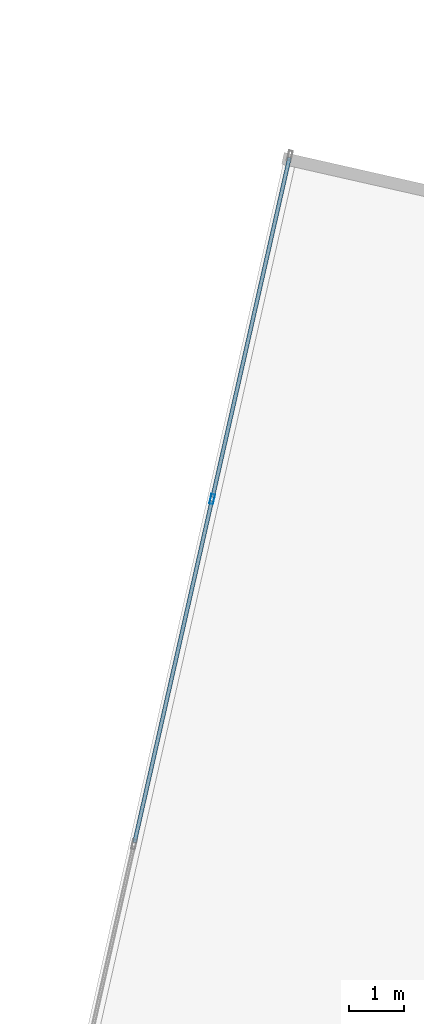
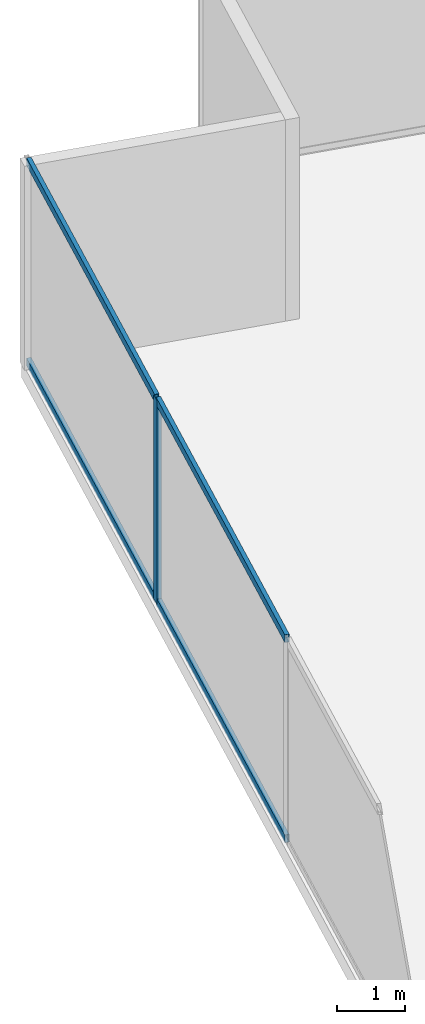
# One storey, part 15 of 27: 5 members, 1 element without a shape of its own.
"""IFC4 building model written with IfcOpenShell, lengths in metres."""

from ifc_helpers import new_model, si_unit, direction, frame, origin, origin_2d, place, context, subcontext, project, spatial, hollow_rectangle, extrude, source, transform, mapped, material, material_profile, profile_set, type_object, type_shapes, element, aggregate, save


model = new_model("IFC4")

# Units and contexts
model_context = context("Model", 3, precision=1e-05, world=origin(), true_north=direction((0.0, 1.0)))
body_context = subcontext(model_context, "Body", "Model", "MODEL_VIEW")
ifc_project = project(units=[si_unit("LENGTHUNIT", "METRE"), si_unit("AREAUNIT", "SQUARE_METRE"), si_unit("VOLUMEUNIT", "CUBIC_METRE"), si_unit("PLANEANGLEUNIT", "RADIAN"), si_unit("MASSUNIT", "GRAM", prefix="KILO")], contexts=[model_context])

# Site, building, storey
site_placement = place(None, origin())
site = spatial("IfcSite", under=ifc_project, at=site_placement, CompositionType="ELEMENT")
building_placement = place(site_placement, origin())
building = spatial("IfcBuilding", under=site, at=building_placement, Name="Krantzveldt Concourse Tower", CompositionType="ELEMENT")
storey_placement = place(building_placement, frame((0.0, 0.0, 86.10009765625)))
storey = spatial("IfcBuildingStorey", under=building, at=storey_placement, Name="L20", CompositionType="ELEMENT", Elevation=86.10009765625)

# Curtain wall, members
ifc_material = material(Name="Anodised aluminium 6063-T6", Category="aluminium")
curtain_wall_type = type_object("IfcCurtainWallType", Name="CW2", PredefinedType="USERDEFINED", material=ifc_material)
curtain_wall_placement = place(storey_placement, origin())
curtain_wall = element("IfcCurtainWall", 1, at=curtain_wall_placement, inside=storey, type_object=curtain_wall_type, Name="CW-L20-F01", ObjectType="UNITISED CURTAIN WALL", PredefinedType="USERDEFINED")
ifc_material_profile_1 = material_profile(ifc_material, hollow_rectangle(XDim=0.070068359375, YDim=0.179931640625, WallThickness=0.0048828125, at=origin_2d()), Name="Anodised aluminium 6063-T6", Category="aluminium")
ifc_profile_set_1 = profile_set([ifc_material_profile_1], Name="Anodised aluminium 6063-T6 - ALU-MULL 180x70x5")
member_type_1 = type_object("IfcMemberType", Name="CW-MUL-180", PredefinedType="MULLION", material=ifc_profile_set_1)
shared_shape_1 = source(origin(), body_context, "Body", "SweptSolid", [
    extrude(hollow_rectangle(XDim=0.070068359375, YDim=0.179931640625, WallThickness=0.0048828125, at=origin_2d()), origin(), (0.0, 0.0, 1.0), 3.669921875),
])
type_shapes(member_type_1, [shared_shape_1])
member_1_placement = place(storey_placement, frame((16.119140625, 44.458984375, 0.0), z_axis=(0.0, 0.0, 1.0), x_axis=(0.975342320609, -0.220697434579, 0.0)))
member_1 = element("IfcMember", 2, at=member_1_placement, type_object=member_type_1, Name="CW-Z12 mullion 2", PredefinedType="MULLION", context=body_context, shape_type="MappedRepresentation", body=[
    mapped(shared_shape_1, transform((0.0, 0.0, 0.0), x_axis=(1.0, 0.0, 0.0), y_axis=(0.0, 1.0, 0.0), z_axis=(0.0, 0.0, 1.0), scale=1.0)),
])
ifc_material_profile_2 = material_profile(ifc_material, hollow_rectangle(XDim=0.070068359375, YDim=0.139892578125, WallThickness=0.0048828125, at=origin_2d()), Name="Anodised aluminium 6063-T6", Category="aluminium")
ifc_profile_set_2 = profile_set([ifc_material_profile_2], Name="Anodised aluminium 6063-T6 - ALU-TRAN 140x70x5")
member_type_2 = type_object("IfcMemberType", Name="CW-TRN-150", PredefinedType="USERDEFINED", material=ifc_profile_set_2)
shared_shape_2 = source(origin(), body_context, "Body", "SweptSolid", [
    extrude(hollow_rectangle(XDim=0.070068359375, YDim=0.139892578125, WallThickness=0.0048828125, at=origin_2d()), origin(), (0.0, 0.0, 1.0), 6.361572265625),
])
member_2_placement = place(storey_placement, frame((17.53076171875, 50.69775390625, 0.034912109375), z_axis=(-0.220667229594, -0.975349154807, 0.0), x_axis=(0.975349154807, -0.220667229594, 0.0)))
member_2 = element("IfcMember", 3, at=member_2_placement, type_object=member_type_2, Name="CW-Z12 transom 1.1", ObjectType="TRANSOM", PredefinedType="USERDEFINED", context=body_context, shape_type="MappedRepresentation", body=[
    mapped(shared_shape_2, transform((0.0, 0.0, 0.0), x_axis=(1.0, 0.0, 0.0), y_axis=(0.0, 1.0, 0.0), z_axis=(0.0, 0.0, 1.0), scale=1.0)),
])
member_3_placement = place(storey_placement, frame((17.53076171875, 50.69775390625, 3.635009765625), z_axis=(-0.220667229594, -0.975349154807, 0.0), x_axis=(0.975349154807, -0.220667229594, 0.0)))
member_3 = element("IfcMember", 4, at=member_3_placement, type_object=member_type_2, Name="CW-Z12 transom 1.2", ObjectType="TRANSOM", PredefinedType="USERDEFINED", context=body_context, shape_type="MappedRepresentation", body=[
    mapped(shared_shape_2, transform((0.0, 0.0, 0.0), x_axis=(1.0, 0.0, 0.0), y_axis=(0.0, 1.0, 0.0), z_axis=(0.0, 0.0, 1.0), scale=1.0)),
])
shared_shape_3 = source(origin(), body_context, "Body", "SweptSolid", [
    extrude(hollow_rectangle(XDim=0.070068359375, YDim=0.139892578125, WallThickness=0.0048828125, at=origin_2d()), origin(), (0.0, 0.0, 1.0), 6.396728515625),
])
type_shapes(member_type_2, [shared_shape_2, shared_shape_3])
member_4_placement = place(storey_placement, frame((16.111328125, 44.4248046875, 0.034912109375), z_axis=(-0.220679058454, -0.975346478519, 0.0), x_axis=(0.975346478519, -0.220679058454, 0.0)))
member_4 = element("IfcMember", 5, at=member_4_placement, type_object=member_type_2, Name="CW-Z12 transom 2.1", ObjectType="TRANSOM", PredefinedType="USERDEFINED", context=body_context, shape_type="MappedRepresentation", body=[
    mapped(shared_shape_3, transform((0.0, 0.0, 0.0), x_axis=(1.0, 0.0, 0.0), y_axis=(0.0, 1.0, 0.0), z_axis=(0.0, 0.0, 1.0), scale=1.0)),
])
member_5_placement = place(storey_placement, frame((16.111328125, 44.4248046875, 3.635009765625), z_axis=(-0.220679058454, -0.975346478519, 0.0), x_axis=(0.975346478519, -0.220679058454, 0.0)))
member_5 = element("IfcMember", 6, at=member_5_placement, type_object=member_type_2, Name="CW-Z12 transom 2.2", ObjectType="TRANSOM", PredefinedType="USERDEFINED", context=body_context, shape_type="MappedRepresentation", body=[
    mapped(shared_shape_3, transform((0.0, 0.0, 0.0), x_axis=(1.0, 0.0, 0.0), y_axis=(0.0, 1.0, 0.0), z_axis=(0.0, 0.0, 1.0), scale=1.0)),
])
aggregate(curtain_wall, [member_1, member_2, member_3, member_4, member_5])

save(model, "model.ifc")
